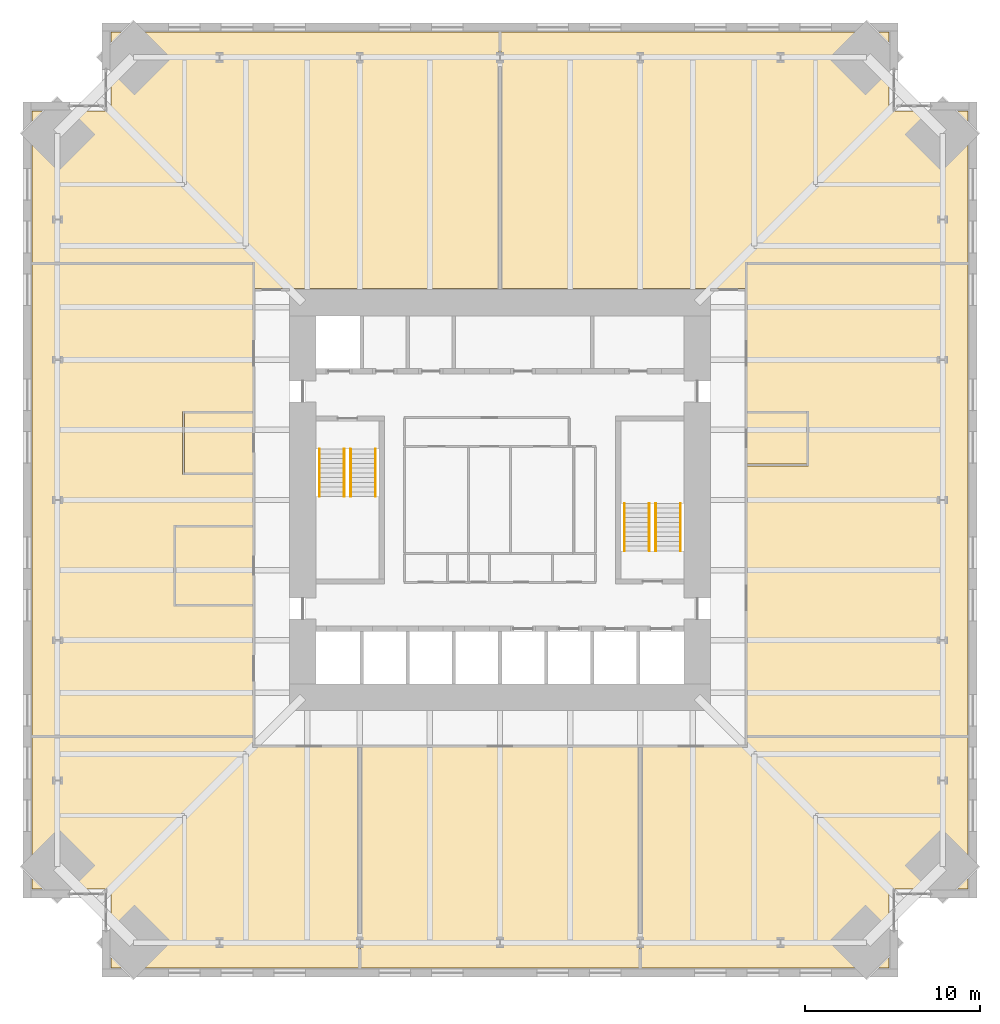
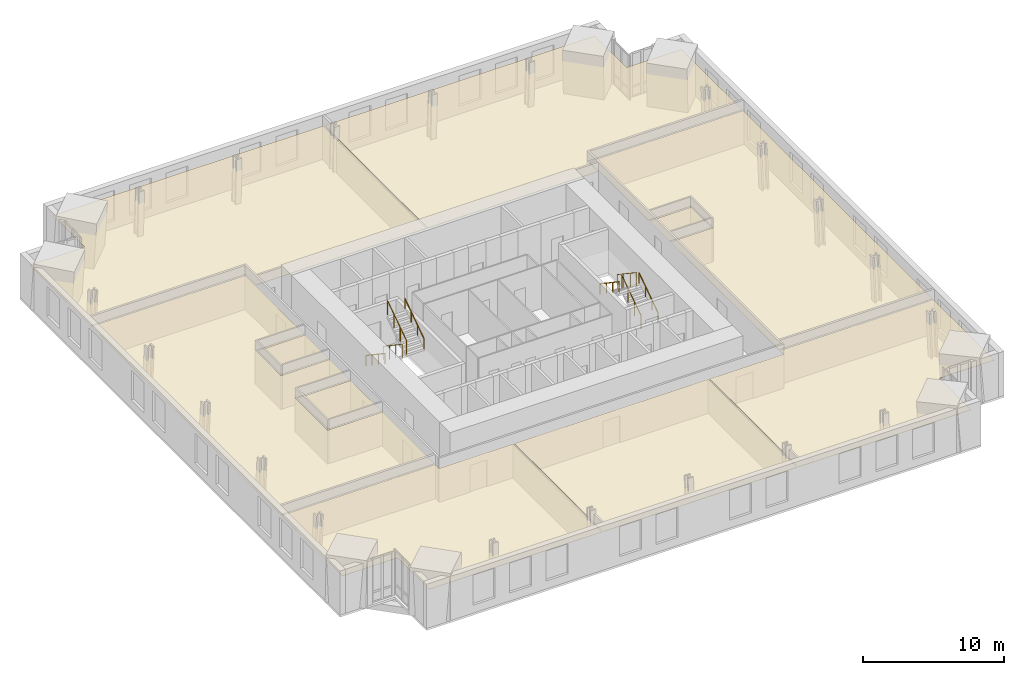
# One storey, part 16 of 16: 10 coverings, 8 railings.
"""IFC4 building model written with IfcOpenShell, lengths in metres."""

from ifc_helpers import new_model, si_unit, direction, frame, origin, origin_2d, place, context, subcontext, project, spatial, polyline, circle, outline, extrude, material, layer, layer_set, type_object, element, save


model = new_model("IFC4")

# Units and contexts
model_context = context("Model", 3, precision=1e-05, world=origin(), true_north=direction((0.0, 1.0)))
body_context = subcontext(model_context, "Body", "Model", "MODEL_VIEW")
ifc_project = project(units=[si_unit("LENGTHUNIT", "METRE"), si_unit("AREAUNIT", "SQUARE_METRE"), si_unit("VOLUMEUNIT", "CUBIC_METRE"), si_unit("PLANEANGLEUNIT", "RADIAN"), si_unit("MASSUNIT", "GRAM", prefix="KILO")], contexts=[model_context])

# Site, building, storey
site_placement = place(None, origin())
site = spatial("IfcSite", under=ifc_project, at=site_placement, CompositionType="ELEMENT")
building_placement = place(site_placement, origin())
building = spatial("IfcBuilding", under=site, at=building_placement, Name="Peilmerk Tower", CompositionType="ELEMENT")
storey_placement = place(building_placement, frame((0.0, 0.0, 139.800048828125)))
storey = spatial("IfcBuildingStorey", under=building, at=storey_placement, Name="L28", CompositionType="ELEMENT", Elevation=139.800048828125)

# Coverings
ifc_material_1 = material(Name="Mineral fibre ceiling tiles", Category="mineral")
ifc_layer = layer(ifc_material_1, 0.02490234375)
ifc_layer_set = layer_set([ifc_layer], Name="Mineral fibre ceiling tiles")
covering_type = type_object("IfcCoveringType", Name="CL1 25 suspended ceiling", PredefinedType="CEILING", material=ifc_layer_set)
covering_1_placement = place(storey_placement, frame((0.0, 0.0, 2.905029296875)))
element("IfcCovering", 1, at=covering_1_placement, inside=storey, type_object=covering_type, Name="Suspended ceiling Tenant suite", PredefinedType="CEILING", context=body_context, shape_type="SweptSolid", body=[
    extrude(outline(polyline([(-26.699951171875, 22.199951171875), (-26.699951171875, 13.550048828125), (-14.0, 13.550048828125), (-14.0, 12.050048828125), (-0.050048828125, 12.050048828125), (-0.050048828125, 26.699951171875), (-22.199951171875, 26.699951171875), (-22.199951171875, 22.199951171875), (-26.699951171875, 22.199951171875)])), origin(), (0.0, 0.0, 1.0), 0.02490234375),
])
covering_2_placement = place(storey_placement, frame((0.0, 0.0, 2.905029296875)))
element("IfcCovering", 2, at=covering_2_placement, inside=storey, type_object=covering_type, Name="Suspended ceiling Tenant suite", PredefinedType="CEILING", context=body_context, shape_type="SweptSolid", body=[
    extrude(outline(polyline([(22.199951171875, 26.699951171875), (0.050048828125, 26.699951171875), (0.050048828125, 12.050048828125), (14.0, 12.050048828125), (14.0, 13.550048828125), (26.699951171875, 13.550048828125), (26.699951171875, 22.199951171875), (22.199951171875, 22.199951171875), (22.199951171875, 26.699951171875)])), origin(), (0.0, 0.0, 1.0), 0.02490234375),
])
covering_3_placement = place(storey_placement, frame((0.0, 0.0, 2.905029296875)))
element("IfcCovering", 3, at=covering_3_placement, inside=storey, type_object=covering_type, Name="Suspended ceiling Tenant suite", PredefinedType="CEILING", context=body_context, shape_type="SweptSolid", body=[
    extrude(outline(polyline([(-22.199951171875, -26.699951171875), (-8.050048828125, -26.699951171875), (-8.050048828125, -14.10009765625), (-14.10009765625, -14.10009765625), (-14.10009765625, -13.550048828125), (-26.699951171875, -13.550048828125), (-26.699951171875, -22.199951171875), (-22.199951171875, -22.199951171875), (-22.199951171875, -26.699951171875)])), origin(), (0.0, 0.0, 1.0), 0.02490234375),
])
covering_4_placement = place(storey_placement, frame((0.0, 0.0, 2.905029296875)))
element("IfcCovering", 4, at=covering_4_placement, inside=storey, type_object=covering_type, Name="Suspended ceiling Client suite", PredefinedType="CEILING", context=body_context, shape_type="SweptSolid", body=[
    extrude(outline(polyline([(-7.949951171875, -26.699951171875), (7.949951171875, -26.699951171875), (7.949951171875, -14.10009765625), (-7.949951171875, -14.10009765625), (-7.949951171875, -26.699951171875)])), origin(), (0.0, 0.0, 1.0), 0.02490234375),
])
covering_5_placement = place(storey_placement, frame((0.0, 0.0, 2.905029296875)))
element("IfcCovering", 5, at=covering_5_placement, inside=storey, type_object=covering_type, Name="Suspended ceiling Tenant suite", PredefinedType="CEILING", context=body_context, shape_type="SweptSolid", body=[
    extrude(outline(polyline([(8.050048828125, -26.699951171875), (22.199951171875, -26.699951171875), (22.199951171875, -22.199951171875), (26.699951171875, -22.199951171875), (26.699951171875, -13.550048828125), (14.10009765625, -13.550048828125), (14.10009765625, -14.10009765625), (8.050048828125, -14.10009765625), (8.050048828125, -26.699951171875)])), origin(), (0.0, 0.0, 1.0), 0.02490234375),
])
covering_6_placement = place(storey_placement, frame((0.0, 0.0, 2.905029296875)))
element("IfcCovering", 6, at=covering_6_placement, inside=storey, type_object=covering_type, Name="Suspended ceiling Tenant suite", PredefinedType="CEILING", context=body_context, shape_type="SweptSolid", body=[
    extrude(outline(polyline([(14.10009765625, -13.449951171875), (26.699951171875, -13.449951171875), (26.699951171875, 13.449951171875), (14.10009765625, 13.449951171875), (14.10009765625, 5.050048828125), (17.60009765625, 5.050048828125), (17.60009765625, 1.949951171875), (14.10009765625, 1.949951171875), (14.10009765625, -13.449951171875)])), origin(), (0.0, 0.0, 1.0), 0.02490234375),
])
covering_7_placement = place(storey_placement, frame((0.0, 0.0, 2.905029296875)))
element("IfcCovering", 7, at=covering_7_placement, inside=storey, type_object=covering_type, Name="Suspended ceiling Focus room", PredefinedType="CEILING", context=body_context, shape_type="SweptSolid", body=[
    extrude(outline(polyline([(17.5, 2.050048828125), (17.5, 4.949951171875), (14.10009765625, 4.949951171875), (14.10009765625, 2.050048828125), (17.5, 2.050048828125)])), origin(), (0.0, 0.0, 1.0), 0.02490234375),
])
covering_8_placement = place(storey_placement, frame((0.0, 0.0, 2.905029296875)))
element("IfcCovering", 8, at=covering_8_placement, inside=storey, type_object=covering_type, Name="Suspended ceiling Tenant suite", PredefinedType="CEILING", context=body_context, shape_type="SweptSolid", body=[
    extrude(outline(polyline([(-14.10009765625, 13.449951171875), (-26.699951171875, 13.449951171875), (-26.699951171875, -13.449951171875), (-14.10009765625, -13.449951171875), (-14.10009765625, -6.050048828125), (-18.60009765625, -6.050048828125), (-18.60009765625, -1.449951171875), (-14.10009765625, -1.449951171875), (-14.10009765625, 1.449951171875), (-18.10009765625, 1.449951171875), (-18.10009765625, 5.050048828125), (-14.10009765625, 5.050048828125), (-14.10009765625, 13.449951171875)])), origin(), (0.0, 0.0, 1.0), 0.02490234375),
])
covering_9_placement = place(storey_placement, frame((0.0, 0.0, 2.905029296875)))
element("IfcCovering", 9, at=covering_9_placement, inside=storey, type_object=covering_type, Name="Suspended ceiling Meeting room", PredefinedType="CEILING", context=body_context, shape_type="SweptSolid", body=[
    extrude(outline(polyline([(-14.10009765625, -5.949951171875), (-14.10009765625, -1.550048828125), (-18.5, -1.550048828125), (-18.5, -5.949951171875), (-14.10009765625, -5.949951171875)])), origin(), (0.0, 0.0, 1.0), 0.02490234375),
])
covering_10_placement = place(storey_placement, frame((0.0, 0.0, 2.905029296875)))
element("IfcCovering", 10, at=covering_10_placement, inside=storey, type_object=covering_type, Name="Suspended ceiling Pantry", PredefinedType="CEILING", context=body_context, shape_type="SweptSolid", body=[
    extrude(outline(polyline([(-14.10009765625, 1.550048828125), (-14.10009765625, 4.949951171875), (-18.0, 4.949951171875), (-18.0, 1.550048828125), (-14.10009765625, 1.550048828125)])), origin(), (0.0, 0.0, 1.0), 0.02490234375),
])

# Railings
ifc_material_2 = material(Name="Steel flat bar balustrade", Category="steel")
railing_type_1 = type_object("IfcRailingType", Name="GR1 1200 stair guard", PredefinedType="GUARDRAIL", material=ifc_material_2)
railing_1_placement = place(storey_placement, frame((-8.8798828125, 2.89990234375, 0.181884765625)))
element("IfcRailing", 11, at=railing_1_placement, inside=storey, type_object=railing_type_1, Name="Guard stair 1 L28", PredefinedType="GUARDRAIL", context=body_context, shape_type="SweptSolid", body=[
    extrude(circle(Radius=0.02392578125, at=origin_2d()), frame((0.0, 0.0, 1.17578125), z_axis=(0.0, -0.829468130872, 0.55855404382), x_axis=(1.0, 0.0, 0.0)), (0.0, 0.0, 1.0), 3.255126953125),
    extrude(circle(Radius=0.02099609375, at=origin_2d()), origin(), (0.0, 0.0, 1.0), 1.15185546875),
    extrude(circle(Radius=0.02099609375, at=origin_2d()), frame((0.0, -0.89990234375, 0.60595703125)), (0.0, 0.0, 1.0), 1.15185546875),
    extrude(circle(Radius=0.02099609375, at=origin_2d()), frame((0.0, -1.800048828125, 1.212158203125)), (0.0, 0.0, 1.0), 1.15185546875),
    extrude(circle(Radius=0.02099609375, at=origin_2d()), frame((0.0, -2.699951171875, 1.818115234375)), (0.0, 0.0, 1.0), 1.15185546875),
])
for number, where, name in (
    (12, (-8.52001953125, 0.199951171875, 2.181884765625), "Guard stair 1 L28"),
    (13, (8.8798828125, -2.89990234375, 0.181884765625), "Guard stair 2 L28"),
):
    element("IfcRailing", number, at=place(storey_placement, frame(where)), inside=storey, type_object=railing_type_1, Name=name, PredefinedType="GUARDRAIL", context=body_context, shape_type="SweptSolid", body=[
        extrude(circle(Radius=0.02392578125, at=origin_2d()), frame((0.0, 0.0, 1.17578125), z_axis=(0.0, 0.829468130872, 0.55855404382), x_axis=(-1.0, 0.0, 0.0)), (0.0, 0.0, 1.0), 3.255126953125),
        extrude(circle(Radius=0.02099609375, at=origin_2d()), origin(), (0.0, 0.0, 1.0), 1.15185546875),
        extrude(circle(Radius=0.02099609375, at=origin_2d()), frame((0.0, 0.89990234375, 0.60595703125)), (0.0, 0.0, 1.0), 1.15185546875),
        extrude(circle(Radius=0.02099609375, at=origin_2d()), frame((0.0, 1.800048828125, 1.212158203125)), (0.0, 0.0, 1.0), 1.15185546875),
        extrude(circle(Radius=0.02099609375, at=origin_2d()), frame((0.0, 2.699951171875, 1.818115234375)), (0.0, 0.0, 1.0), 1.15185546875),
    ])
railing_2_placement = place(storey_placement, frame((8.52001953125, -0.199951171875, 2.181884765625)))
element("IfcRailing", 14, at=railing_2_placement, inside=storey, type_object=railing_type_1, Name="Guard stair 2 L28", PredefinedType="GUARDRAIL", context=body_context, shape_type="SweptSolid", body=[
    extrude(circle(Radius=0.02392578125, at=origin_2d()), frame((0.0, 0.0, 1.17578125), z_axis=(0.0, -0.829468130872, 0.55855404382), x_axis=(1.0, 0.0, 0.0)), (0.0, 0.0, 1.0), 3.255126953125),
    extrude(circle(Radius=0.02099609375, at=origin_2d()), origin(), (0.0, 0.0, 1.0), 1.15185546875),
    extrude(circle(Radius=0.02099609375, at=origin_2d()), frame((0.0, -0.89990234375, 0.60595703125)), (0.0, 0.0, 1.0), 1.15185546875),
    extrude(circle(Radius=0.02099609375, at=origin_2d()), frame((0.0, -1.800048828125, 1.212158203125)), (0.0, 0.0, 1.0), 1.15185546875),
    extrude(circle(Radius=0.02099609375, at=origin_2d()), frame((0.0, -2.699951171875, 1.818115234375)), (0.0, 0.0, 1.0), 1.15185546875),
])
ifc_material_3 = material(Name="Stainless steel tube", Category="steel")
railing_type_2 = type_object("IfcRailingType", Name="HR1 900 stair handrail", PredefinedType="HANDRAIL", material=ifc_material_3)
railing_3_placement = place(storey_placement, frame((-10.300048828125, 2.89990234375, 0.181884765625)))
element("IfcRailing", 15, at=railing_3_placement, inside=storey, type_object=railing_type_2, Name="Handrail stair 1 L28", PredefinedType="HANDRAIL", context=body_context, shape_type="SweptSolid", body=[
    extrude(circle(Radius=0.02392578125, at=origin_2d()), frame((0.0, 0.0, 0.8759765625), z_axis=(0.0, -0.829468130872, 0.55855404382), x_axis=(1.0, 0.0, 0.0)), (0.0, 0.0, 1.0), 3.255126953125),
    extrude(circle(Radius=0.02099609375, at=origin_2d()), origin(), (0.0, 0.0, 1.0), 0.851806640625),
    extrude(circle(Radius=0.02099609375, at=origin_2d()), frame((0.0, -0.89990234375, 0.60595703125)), (0.0, 0.0, 1.0), 0.851806640625),
    extrude(circle(Radius=0.02099609375, at=origin_2d()), frame((0.0, -1.800048828125, 1.212158203125)), (0.0, 0.0, 1.0), 0.851806640625),
    extrude(circle(Radius=0.02099609375, at=origin_2d()), frame((0.0, -2.699951171875, 1.818115234375)), (0.0, 0.0, 1.0), 0.851806640625),
])
for number, where, name in (
    (16, (-7.10009765625, 0.199951171875, 2.181884765625), "Handrail stair 1 L28"),
    (17, (10.300048828125, -2.89990234375, 0.181884765625), "Handrail stair 2 L28"),
):
    element("IfcRailing", number, at=place(storey_placement, frame(where)), inside=storey, type_object=railing_type_2, Name=name, PredefinedType="HANDRAIL", context=body_context, shape_type="SweptSolid", body=[
        extrude(circle(Radius=0.02392578125, at=origin_2d()), frame((0.0, 0.0, 0.8759765625), z_axis=(0.0, 0.829468130872, 0.55855404382), x_axis=(-1.0, 0.0, 0.0)), (0.0, 0.0, 1.0), 3.255126953125),
        extrude(circle(Radius=0.02099609375, at=origin_2d()), origin(), (0.0, 0.0, 1.0), 0.851806640625),
        extrude(circle(Radius=0.02099609375, at=origin_2d()), frame((0.0, 0.89990234375, 0.60595703125)), (0.0, 0.0, 1.0), 0.851806640625),
        extrude(circle(Radius=0.02099609375, at=origin_2d()), frame((0.0, 1.800048828125, 1.212158203125)), (0.0, 0.0, 1.0), 0.851806640625),
        extrude(circle(Radius=0.02099609375, at=origin_2d()), frame((0.0, 2.699951171875, 1.818115234375)), (0.0, 0.0, 1.0), 0.851806640625),
    ])
railing_4_placement = place(storey_placement, frame((7.10009765625, -0.199951171875, 2.181884765625)))
element("IfcRailing", 18, at=railing_4_placement, inside=storey, type_object=railing_type_2, Name="Handrail stair 2 L28", PredefinedType="HANDRAIL", context=body_context, shape_type="SweptSolid", body=[
    extrude(circle(Radius=0.02392578125, at=origin_2d()), frame((0.0, 0.0, 0.8759765625), z_axis=(0.0, -0.829468130872, 0.55855404382), x_axis=(1.0, 0.0, 0.0)), (0.0, 0.0, 1.0), 3.255126953125),
    extrude(circle(Radius=0.02099609375, at=origin_2d()), origin(), (0.0, 0.0, 1.0), 0.851806640625),
    extrude(circle(Radius=0.02099609375, at=origin_2d()), frame((0.0, -0.89990234375, 0.60595703125)), (0.0, 0.0, 1.0), 0.851806640625),
    extrude(circle(Radius=0.02099609375, at=origin_2d()), frame((0.0, -1.800048828125, 1.212158203125)), (0.0, 0.0, 1.0), 0.851806640625),
    extrude(circle(Radius=0.02099609375, at=origin_2d()), frame((0.0, -2.699951171875, 1.818115234375)), (0.0, 0.0, 1.0), 0.851806640625),
])

save(model, "model.ifc")
